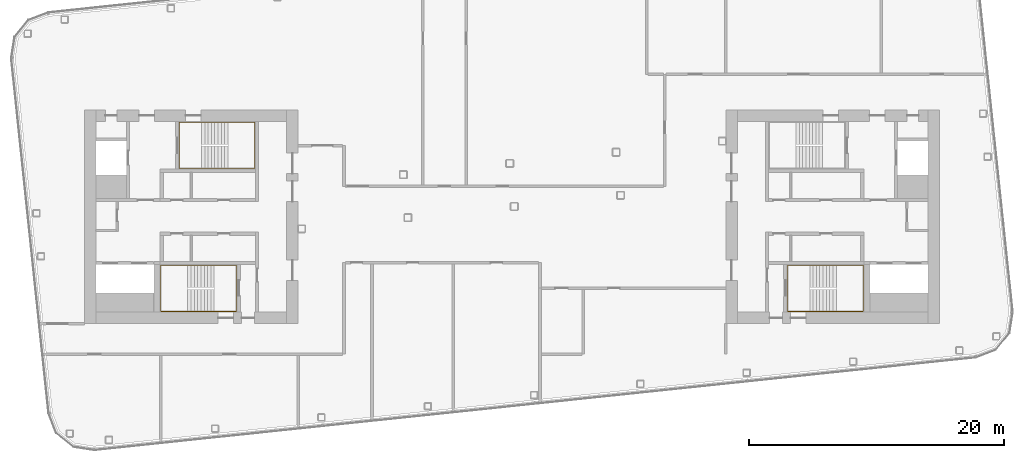
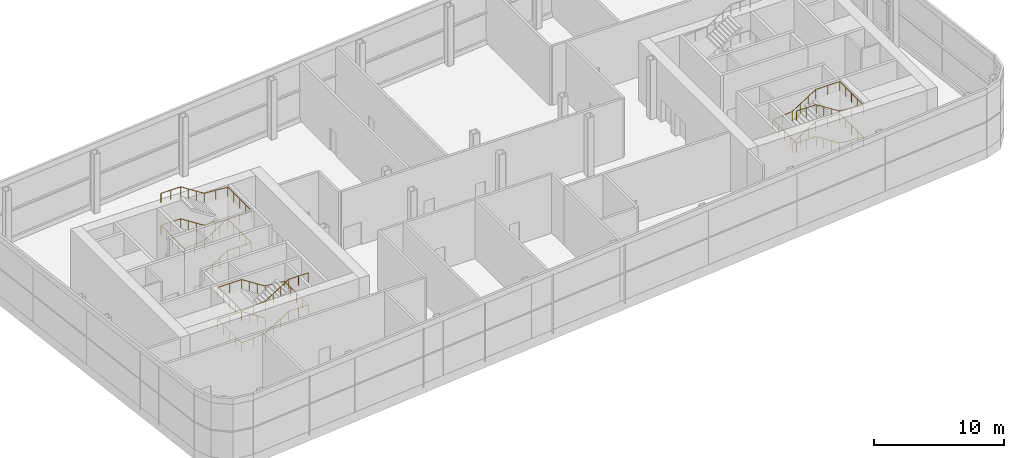
# One storey, part 34 of 35: 3 railings.
"""IFC4 building model written with IfcOpenShell, lengths in metres."""

from ifc_helpers import new_model, si_unit, direction, frame, origin, origin_2d, place, context, subcontext, project, spatial, circle, extrude, material, type_object, element, save


model = new_model("IFC4")

# Units and contexts
model_context = context("Model", 3, precision=1e-05, world=origin(), true_north=direction((0.0, 1.0)))
body_context = subcontext(model_context, "Body", "Model", "MODEL_VIEW")
ifc_project = project(units=[si_unit("LENGTHUNIT", "METRE"), si_unit("AREAUNIT", "SQUARE_METRE"), si_unit("VOLUMEUNIT", "CUBIC_METRE"), si_unit("PLANEANGLEUNIT", "RADIAN"), si_unit("MASSUNIT", "GRAM", prefix="KILO")], contexts=[model_context])

# Site, building, storey
site_placement = place(None, origin())
site = spatial("IfcSite", under=ifc_project, at=site_placement, CompositionType="ELEMENT")
building_placement = place(site_placement, origin())
building = spatial("IfcBuilding", under=site, at=building_placement, Name="Hakoniwa Tower and Hamabe Station Hall", CompositionType="ELEMENT")
storey_placement = place(building_placement, frame((0.0, 0.0, 270.60009765625)))
storey = spatial("IfcBuildingStorey", under=building, at=storey_placement, Name="L76", CompositionType="ELEMENT", Elevation=270.60009765625)

# Railings
ifc_material = material(Name="Stainless steel SUS304", Category="steel")
railing_type = type_object("IfcRailingType", Name="STAIR HANDRAIL 900", PredefinedType="HANDRAIL", material=ifc_material)
railing_1_placement = place(storey_placement, frame((-24.39990234375, 3.81005859375, 0.16650390625)))
element("IfcRailing", 1, at=railing_1_placement, inside=storey, type_object=railing_type, Name="Handrail ST-1 L76 1", PredefinedType="HANDRAIL", context=body_context, shape_type="SweptSolid", body=[
    extrude(circle(Radius=0.02392578125, at=origin_2d()), frame((0.0, 0.0, 0.8759765625), z_axis=(0.841829634381, 0.0, 0.539743334075), x_axis=(0.0, 1.0, 0.0)), (0.0, 0.0, 1.0), 2.470703125),
    extrude(circle(Radius=0.02392578125, at=origin_2d()), frame((2.079833984375, 0.0, 2.20947265625), z_axis=(1.0, 0.0, 0.0), x_axis=(0.0, 1.0, 0.0)), (0.0, 0.0, 1.0), 2.110107421875),
    extrude(circle(Radius=0.02392578125, at=origin_2d()), frame((4.18994140625, 0.0, 2.20947265625), z_axis=(0.0, 1.0, 0.0), x_axis=(-1.0, 0.0, 0.0)), (0.0, 0.0, 1.0), 3.6298828125),
    extrude(circle(Radius=0.02392578125, at=origin_2d()), frame((4.18994140625, 3.6298828125, 2.20947265625), z_axis=(-0.99690124378, 0.0, 0.078663270653), x_axis=(0.0, -1.0, 0.0)), (0.0, 0.0, 1.0), 2.11669921875),
    extrude(circle(Radius=0.02392578125, at=origin_2d()), frame((2.079833984375, 3.6298828125, 2.3759765625), z_axis=(-0.841829634381, 0.0, 0.539743334075), x_axis=(0.0, -1.0, 0.0)), (0.0, 0.0, 1.0), 2.470703125),
    extrude(circle(Radius=0.02392578125, at=origin_2d()), frame((0.0, 3.6298828125, 3.70947265625), z_axis=(-1.0, 0.0, 0.0), x_axis=(0.0, -1.0, 0.0)), (0.0, 0.0, 1.0), 1.739990234375),
    extrude(circle(Radius=0.02392578125, at=origin_2d()), frame((-1.739990234375, 3.6298828125, 3.70947265625), z_axis=(0.0, -1.0, 0.0), x_axis=(1.0, 0.0, 0.0)), (0.0, 0.0, 1.0), 3.6298828125),
    extrude(circle(Radius=0.02392578125, at=origin_2d()), frame((-1.739990234375, 0.0, 3.70947265625), z_axis=(0.995452684975, 0.0, 0.095257293553), x_axis=(0.0, 1.0, 0.0)), (0.0, 0.0, 1.0), 1.748046875),
    extrude(circle(Radius=0.02392578125, at=origin_2d()), frame((0.0, 0.0, 3.8759765625), z_axis=(0.841829634381, 0.0, 0.539743334075), x_axis=(0.0, 1.0, 0.0)), (0.0, 0.0, 1.0), 2.470703125),
    extrude(circle(Radius=0.02392578125, at=origin_2d()), frame((2.079833984375, 0.0, 5.20947265625), z_axis=(1.0, 0.0, 0.0), x_axis=(0.0, 1.0, 0.0)), (0.0, 0.0, 1.0), 2.110107421875),
    extrude(circle(Radius=0.02392578125, at=origin_2d()), frame((4.18994140625, 0.0, 5.20947265625), z_axis=(0.0, 1.0, 0.0), x_axis=(-1.0, 0.0, 0.0)), (0.0, 0.0, 1.0), 3.6298828125),
    extrude(circle(Radius=0.02392578125, at=origin_2d()), frame((4.18994140625, 3.6298828125, 5.20947265625), z_axis=(-0.99690124378, 0.0, 0.078663270653), x_axis=(0.0, -1.0, 0.0)), (0.0, 0.0, 1.0), 2.11669921875),
    extrude(circle(Radius=0.02392578125, at=origin_2d()), frame((2.079833984375, 3.6298828125, 5.3759765625), z_axis=(-0.841829634381, 0.0, 0.539743334075), x_axis=(0.0, -1.0, 0.0)), (0.0, 0.0, 1.0), 2.470703125),
    extrude(circle(Radius=0.02392578125, at=origin_2d()), frame((0.0, 3.6298828125, 6.70947265625), z_axis=(-1.0, 0.0, 0.0), x_axis=(0.0, -1.0, 0.0)), (0.0, 0.0, 1.0), 1.739990234375),
    extrude(circle(Radius=0.02099609375, at=origin_2d()), origin(), (0.0, 0.0, 1.0), 0.851806640625),
    extrude(circle(Radius=0.02099609375, at=origin_2d()), frame((0.693359375, 0.0, 0.444580078125)), (0.0, 0.0, 1.0), 0.851806640625),
    extrude(circle(Radius=0.02099609375, at=origin_2d()), frame((1.386474609375, 0.0, 0.888916015625)), (0.0, 0.0, 1.0), 0.851806640625),
    extrude(circle(Radius=0.02099609375, at=origin_2d()), frame((2.079833984375, 0.0, 1.33349609375)), (0.0, 0.0, 1.0), 0.851806640625),
    extrude(circle(Radius=0.02099609375, at=origin_2d()), frame((3.134765625, 0.0, 1.33349609375)), (0.0, 0.0, 1.0), 0.851806640625),
    extrude(circle(Radius=0.02099609375, at=origin_2d()), frame((4.18994140625, 0.0, 1.33349609375)), (0.0, 0.0, 1.0), 0.851806640625),
    extrude(circle(Radius=0.02099609375, at=origin_2d()), frame((4.18994140625, 0.907470703125, 1.33349609375)), (0.0, 0.0, 1.0), 0.851806640625),
    extrude(circle(Radius=0.02099609375, at=origin_2d()), frame((4.18994140625, 1.81494140625, 1.33349609375)), (0.0, 0.0, 1.0), 0.851806640625),
    extrude(circle(Radius=0.02099609375, at=origin_2d()), frame((4.18994140625, 2.722412109375, 1.33349609375)), (0.0, 0.0, 1.0), 0.851806640625),
    extrude(circle(Radius=0.02099609375, at=origin_2d()), frame((4.18994140625, 3.6298828125, 1.33349609375)), (0.0, 0.0, 1.0), 0.851806640625),
    extrude(circle(Radius=0.02099609375, at=origin_2d()), frame((3.134765625, 3.6298828125, 1.416748046875)), (0.0, 0.0, 1.0), 0.851806640625),
    extrude(circle(Radius=0.02099609375, at=origin_2d()), frame((2.079833984375, 3.6298828125, 1.5)), (0.0, 0.0, 1.0), 0.851806640625),
    extrude(circle(Radius=0.02099609375, at=origin_2d()), frame((1.386474609375, 3.6298828125, 1.944580078125)), (0.0, 0.0, 1.0), 0.851806640625),
    extrude(circle(Radius=0.02099609375, at=origin_2d()), frame((0.693359375, 3.6298828125, 2.388916015625)), (0.0, 0.0, 1.0), 0.851806640625),
    extrude(circle(Radius=0.02099609375, at=origin_2d()), frame((0.0, 3.6298828125, 2.83349609375)), (0.0, 0.0, 1.0), 0.851806640625),
    extrude(circle(Radius=0.02099609375, at=origin_2d()), frame((-0.8701171875, 3.6298828125, 2.83349609375)), (0.0, 0.0, 1.0), 0.851806640625),
    extrude(circle(Radius=0.02099609375, at=origin_2d()), frame((-1.739990234375, 3.6298828125, 2.83349609375)), (0.0, 0.0, 1.0), 0.851806640625),
    extrude(circle(Radius=0.02099609375, at=origin_2d()), frame((-1.739990234375, 2.722412109375, 2.83349609375)), (0.0, 0.0, 1.0), 0.851806640625),
    extrude(circle(Radius=0.02099609375, at=origin_2d()), frame((-1.739990234375, 1.81494140625, 2.83349609375)), (0.0, 0.0, 1.0), 0.851806640625),
    extrude(circle(Radius=0.02099609375, at=origin_2d()), frame((-1.739990234375, 0.907470703125, 2.83349609375)), (0.0, 0.0, 1.0), 0.851806640625),
    extrude(circle(Radius=0.02099609375, at=origin_2d()), frame((-1.739990234375, 0.0, 2.83349609375)), (0.0, 0.0, 1.0), 0.851806640625),
    extrude(circle(Radius=0.02099609375, at=origin_2d()), frame((-0.8701171875, 0.0, 2.916748046875)), (0.0, 0.0, 1.0), 0.851806640625),
    extrude(circle(Radius=0.02099609375, at=origin_2d()), frame((0.0, 0.0, 3.0)), (0.0, 0.0, 1.0), 0.851806640625),
    extrude(circle(Radius=0.02099609375, at=origin_2d()), frame((0.693359375, 0.0, 3.444580078125)), (0.0, 0.0, 1.0), 0.851806640625),
    extrude(circle(Radius=0.02099609375, at=origin_2d()), frame((1.386474609375, 0.0, 3.888916015625)), (0.0, 0.0, 1.0), 0.851806640625),
    extrude(circle(Radius=0.02099609375, at=origin_2d()), frame((2.079833984375, 0.0, 4.33349609375)), (0.0, 0.0, 1.0), 0.851806640625),
    extrude(circle(Radius=0.02099609375, at=origin_2d()), frame((3.134765625, 0.0, 4.33349609375)), (0.0, 0.0, 1.0), 0.851806640625),
    extrude(circle(Radius=0.02099609375, at=origin_2d()), frame((4.18994140625, 0.0, 4.33349609375)), (0.0, 0.0, 1.0), 0.851806640625),
    extrude(circle(Radius=0.02099609375, at=origin_2d()), frame((4.18994140625, 0.907470703125, 4.33349609375)), (0.0, 0.0, 1.0), 0.851806640625),
    extrude(circle(Radius=0.02099609375, at=origin_2d()), frame((4.18994140625, 1.81494140625, 4.33349609375)), (0.0, 0.0, 1.0), 0.851806640625),
    extrude(circle(Radius=0.02099609375, at=origin_2d()), frame((4.18994140625, 2.722412109375, 4.33349609375)), (0.0, 0.0, 1.0), 0.851806640625),
    extrude(circle(Radius=0.02099609375, at=origin_2d()), frame((4.18994140625, 3.6298828125, 4.33349609375)), (0.0, 0.0, 1.0), 0.851806640625),
    extrude(circle(Radius=0.02099609375, at=origin_2d()), frame((3.134765625, 3.6298828125, 4.416748046875)), (0.0, 0.0, 1.0), 0.851806640625),
    extrude(circle(Radius=0.02099609375, at=origin_2d()), frame((2.079833984375, 3.6298828125, 4.5)), (0.0, 0.0, 1.0), 0.851806640625),
    extrude(circle(Radius=0.02099609375, at=origin_2d()), frame((1.386474609375, 3.6298828125, 4.944580078125)), (0.0, 0.0, 1.0), 0.851806640625),
    extrude(circle(Radius=0.02099609375, at=origin_2d()), frame((0.693359375, 3.6298828125, 5.388916015625)), (0.0, 0.0, 1.0), 0.851806640625),
    extrude(circle(Radius=0.02099609375, at=origin_2d()), frame((0.0, 3.6298828125, 5.83349609375)), (0.0, 0.0, 1.0), 0.851806640625),
    extrude(circle(Radius=0.02099609375, at=origin_2d()), frame((-0.8701171875, 3.6298828125, 5.83349609375)), (0.0, 0.0, 1.0), 0.851806640625),
    extrude(circle(Radius=0.02099609375, at=origin_2d()), frame((-1.739990234375, 3.6298828125, 5.83349609375)), (0.0, 0.0, 1.0), 0.851806640625),
])
railing_2_placement = place(storey_placement, frame((-23.39990234375, -3.81005859375, 0.16650390625)))
element("IfcRailing", 2, at=railing_2_placement, inside=storey, type_object=railing_type, Name="Handrail ST-2 L76 1", PredefinedType="HANDRAIL", context=body_context, shape_type="SweptSolid", body=[
    extrude(circle(Radius=0.02392578125, at=origin_2d()), frame((0.0, 0.0, 0.8759765625), z_axis=(-0.841858418701, 0.0, 0.539698436965), x_axis=(0.0, -1.0, 0.0)), (0.0, 0.0, 1.0), 2.470703125),
    extrude(circle(Radius=0.02392578125, at=origin_2d()), frame((-2.080078125, 0.0, 2.20947265625), z_axis=(-1.0, 0.0, 0.0), x_axis=(0.0, -1.0, 0.0)), (0.0, 0.0, 1.0), 2.110107421875),
    extrude(circle(Radius=0.02392578125, at=origin_2d()), frame((-4.190185546875, 0.0, 2.20947265625), z_axis=(0.0, -1.0, 0.0), x_axis=(1.0, 0.0, 0.0)), (0.0, 0.0, 1.0), 3.6298828125),
    extrude(circle(Radius=0.02392578125, at=origin_2d()), frame((-4.190185546875, -3.6298828125, 2.20947265625), z_axis=(0.99690124378, 0.0, 0.078663270653), x_axis=(0.0, 1.0, 0.0)), (0.0, 0.0, 1.0), 2.11669921875),
    extrude(circle(Radius=0.02392578125, at=origin_2d()), frame((-2.080078125, -3.6298828125, 2.3759765625), z_axis=(0.841858418701, 0.0, 0.539698436965), x_axis=(0.0, 1.0, 0.0)), (0.0, 0.0, 1.0), 2.470703125),
    extrude(circle(Radius=0.02392578125, at=origin_2d()), frame((0.0, -3.6298828125, 3.70947265625), z_axis=(1.0, 0.0, 0.0), x_axis=(0.0, 1.0, 0.0)), (0.0, 0.0, 1.0), 1.739990234375),
    extrude(circle(Radius=0.02392578125, at=origin_2d()), frame((1.739990234375, -3.6298828125, 3.70947265625), z_axis=(0.0, 1.0, 0.0), x_axis=(-1.0, 0.0, 0.0)), (0.0, 0.0, 1.0), 3.6298828125),
    extrude(circle(Radius=0.02392578125, at=origin_2d()), frame((1.739990234375, 0.0, 3.70947265625), z_axis=(-0.995452684975, 0.0, 0.095257293553), x_axis=(0.0, -1.0, 0.0)), (0.0, 0.0, 1.0), 1.748046875),
    extrude(circle(Radius=0.02392578125, at=origin_2d()), frame((0.0, 0.0, 3.8759765625), z_axis=(-0.841858418701, 0.0, 0.539698436965), x_axis=(0.0, -1.0, 0.0)), (0.0, 0.0, 1.0), 2.470703125),
    extrude(circle(Radius=0.02392578125, at=origin_2d()), frame((-2.080078125, 0.0, 5.20947265625), z_axis=(-1.0, 0.0, 0.0), x_axis=(0.0, -1.0, 0.0)), (0.0, 0.0, 1.0), 2.110107421875),
    extrude(circle(Radius=0.02392578125, at=origin_2d()), frame((-4.190185546875, 0.0, 5.20947265625), z_axis=(0.0, -1.0, 0.0), x_axis=(1.0, 0.0, 0.0)), (0.0, 0.0, 1.0), 3.6298828125),
    extrude(circle(Radius=0.02392578125, at=origin_2d()), frame((-4.190185546875, -3.6298828125, 5.20947265625), z_axis=(0.99690124378, 0.0, 0.078663270653), x_axis=(0.0, 1.0, 0.0)), (0.0, 0.0, 1.0), 2.11669921875),
    extrude(circle(Radius=0.02392578125, at=origin_2d()), frame((-2.080078125, -3.6298828125, 5.3759765625), z_axis=(0.841858418701, 0.0, 0.539698436965), x_axis=(0.0, 1.0, 0.0)), (0.0, 0.0, 1.0), 2.470703125),
    extrude(circle(Radius=0.02392578125, at=origin_2d()), frame((0.0, -3.6298828125, 6.70947265625), z_axis=(1.0, 0.0, 0.0), x_axis=(0.0, 1.0, 0.0)), (0.0, 0.0, 1.0), 1.739990234375),
    extrude(circle(Radius=0.02099609375, at=origin_2d()), origin(), (0.0, 0.0, 1.0), 0.851806640625),
    extrude(circle(Radius=0.02099609375, at=origin_2d()), frame((-0.693359375, 0.0, 0.444580078125)), (0.0, 0.0, 1.0), 0.851806640625),
    extrude(circle(Radius=0.02099609375, at=origin_2d()), frame((-1.38671875, 0.0, 0.888916015625)), (0.0, 0.0, 1.0), 0.851806640625),
    extrude(circle(Radius=0.02099609375, at=origin_2d()), frame((-2.080078125, 0.0, 1.33349609375)), (0.0, 0.0, 1.0), 0.851806640625),
    extrude(circle(Radius=0.02099609375, at=origin_2d()), frame((-3.13525390625, 0.0, 1.33349609375)), (0.0, 0.0, 1.0), 0.851806640625),
    extrude(circle(Radius=0.02099609375, at=origin_2d()), frame((-4.190185546875, 0.0, 1.33349609375)), (0.0, 0.0, 1.0), 0.851806640625),
    extrude(circle(Radius=0.02099609375, at=origin_2d()), frame((-4.190185546875, -0.907470703125, 1.33349609375)), (0.0, 0.0, 1.0), 0.851806640625),
    extrude(circle(Radius=0.02099609375, at=origin_2d()), frame((-4.190185546875, -1.81494140625, 1.33349609375)), (0.0, 0.0, 1.0), 0.851806640625),
    extrude(circle(Radius=0.02099609375, at=origin_2d()), frame((-4.190185546875, -2.722412109375, 1.33349609375)), (0.0, 0.0, 1.0), 0.851806640625),
    extrude(circle(Radius=0.02099609375, at=origin_2d()), frame((-4.190185546875, -3.6298828125, 1.33349609375)), (0.0, 0.0, 1.0), 0.851806640625),
    extrude(circle(Radius=0.02099609375, at=origin_2d()), frame((-3.13525390625, -3.6298828125, 1.416748046875)), (0.0, 0.0, 1.0), 0.851806640625),
    extrude(circle(Radius=0.02099609375, at=origin_2d()), frame((-2.080078125, -3.6298828125, 1.5)), (0.0, 0.0, 1.0), 0.851806640625),
    extrude(circle(Radius=0.02099609375, at=origin_2d()), frame((-1.38671875, -3.6298828125, 1.944580078125)), (0.0, 0.0, 1.0), 0.851806640625),
    extrude(circle(Radius=0.02099609375, at=origin_2d()), frame((-0.693359375, -3.6298828125, 2.388916015625)), (0.0, 0.0, 1.0), 0.851806640625),
    extrude(circle(Radius=0.02099609375, at=origin_2d()), frame((0.0, -3.6298828125, 2.83349609375)), (0.0, 0.0, 1.0), 0.851806640625),
    extrude(circle(Radius=0.02099609375, at=origin_2d()), frame((0.8701171875, -3.6298828125, 2.83349609375)), (0.0, 0.0, 1.0), 0.851806640625),
    extrude(circle(Radius=0.02099609375, at=origin_2d()), frame((1.739990234375, -3.6298828125, 2.83349609375)), (0.0, 0.0, 1.0), 0.851806640625),
    extrude(circle(Radius=0.02099609375, at=origin_2d()), frame((1.739990234375, -2.722412109375, 2.83349609375)), (0.0, 0.0, 1.0), 0.851806640625),
    extrude(circle(Radius=0.02099609375, at=origin_2d()), frame((1.739990234375, -1.81494140625, 2.83349609375)), (0.0, 0.0, 1.0), 0.851806640625),
    extrude(circle(Radius=0.02099609375, at=origin_2d()), frame((1.739990234375, -0.907470703125, 2.83349609375)), (0.0, 0.0, 1.0), 0.851806640625),
    extrude(circle(Radius=0.02099609375, at=origin_2d()), frame((1.739990234375, 0.0, 2.83349609375)), (0.0, 0.0, 1.0), 0.851806640625),
    extrude(circle(Radius=0.02099609375, at=origin_2d()), frame((0.8701171875, 0.0, 2.916748046875)), (0.0, 0.0, 1.0), 0.851806640625),
    extrude(circle(Radius=0.02099609375, at=origin_2d()), frame((0.0, 0.0, 3.0)), (0.0, 0.0, 1.0), 0.851806640625),
    extrude(circle(Radius=0.02099609375, at=origin_2d()), frame((-0.693359375, 0.0, 3.444580078125)), (0.0, 0.0, 1.0), 0.851806640625),
    extrude(circle(Radius=0.02099609375, at=origin_2d()), frame((-1.38671875, 0.0, 3.888916015625)), (0.0, 0.0, 1.0), 0.851806640625),
    extrude(circle(Radius=0.02099609375, at=origin_2d()), frame((-2.080078125, 0.0, 4.33349609375)), (0.0, 0.0, 1.0), 0.851806640625),
    extrude(circle(Radius=0.02099609375, at=origin_2d()), frame((-3.13525390625, 0.0, 4.33349609375)), (0.0, 0.0, 1.0), 0.851806640625),
    extrude(circle(Radius=0.02099609375, at=origin_2d()), frame((-4.190185546875, 0.0, 4.33349609375)), (0.0, 0.0, 1.0), 0.851806640625),
    extrude(circle(Radius=0.02099609375, at=origin_2d()), frame((-4.190185546875, -0.907470703125, 4.33349609375)), (0.0, 0.0, 1.0), 0.851806640625),
    extrude(circle(Radius=0.02099609375, at=origin_2d()), frame((-4.190185546875, -1.81494140625, 4.33349609375)), (0.0, 0.0, 1.0), 0.851806640625),
    extrude(circle(Radius=0.02099609375, at=origin_2d()), frame((-4.190185546875, -2.722412109375, 4.33349609375)), (0.0, 0.0, 1.0), 0.851806640625),
    extrude(circle(Radius=0.02099609375, at=origin_2d()), frame((-4.190185546875, -3.6298828125, 4.33349609375)), (0.0, 0.0, 1.0), 0.851806640625),
    extrude(circle(Radius=0.02099609375, at=origin_2d()), frame((-3.13525390625, -3.6298828125, 4.416748046875)), (0.0, 0.0, 1.0), 0.851806640625),
    extrude(circle(Radius=0.02099609375, at=origin_2d()), frame((-2.080078125, -3.6298828125, 4.5)), (0.0, 0.0, 1.0), 0.851806640625),
    extrude(circle(Radius=0.02099609375, at=origin_2d()), frame((-1.38671875, -3.6298828125, 4.944580078125)), (0.0, 0.0, 1.0), 0.851806640625),
    extrude(circle(Radius=0.02099609375, at=origin_2d()), frame((-0.693359375, -3.6298828125, 5.388916015625)), (0.0, 0.0, 1.0), 0.851806640625),
    extrude(circle(Radius=0.02099609375, at=origin_2d()), frame((0.0, -3.6298828125, 5.83349609375)), (0.0, 0.0, 1.0), 0.851806640625),
    extrude(circle(Radius=0.02099609375, at=origin_2d()), frame((0.8701171875, -3.6298828125, 5.83349609375)), (0.0, 0.0, 1.0), 0.851806640625),
    extrude(circle(Radius=0.02099609375, at=origin_2d()), frame((1.739990234375, -3.6298828125, 5.83349609375)), (0.0, 0.0, 1.0), 0.851806640625),
])
railing_3_placement = place(storey_placement, frame((23.39990234375, -3.81005859375, 0.16650390625)))
element("IfcRailing", 3, at=railing_3_placement, inside=storey, type_object=railing_type, Name="Handrail ST-4 L76 1", PredefinedType="HANDRAIL", context=body_context, shape_type="SweptSolid", body=[
    extrude(circle(Radius=0.02392578125, at=origin_2d()), frame((0.0, 0.0, 0.8759765625), z_axis=(0.841858418701, 0.0, 0.539698436965), x_axis=(0.0, 1.0, 0.0)), (0.0, 0.0, 1.0), 2.470703125),
    extrude(circle(Radius=0.02392578125, at=origin_2d()), frame((2.080078125, 0.0, 2.20947265625), z_axis=(1.0, 0.0, 0.0), x_axis=(0.0, 1.0, 0.0)), (0.0, 0.0, 1.0), 2.110107421875),
    extrude(circle(Radius=0.02392578125, at=origin_2d()), frame((4.190185546875, 0.0, 2.20947265625), z_axis=(0.0, -1.0, 0.0), x_axis=(1.0, 0.0, 0.0)), (0.0, 0.0, 1.0), 3.6298828125),
    extrude(circle(Radius=0.02392578125, at=origin_2d()), frame((4.190185546875, -3.6298828125, 2.20947265625), z_axis=(-0.99690124378, 0.0, 0.078663270653), x_axis=(0.0, -1.0, 0.0)), (0.0, 0.0, 1.0), 2.11669921875),
    extrude(circle(Radius=0.02392578125, at=origin_2d()), frame((2.080078125, -3.6298828125, 2.3759765625), z_axis=(-0.841858418701, 0.0, 0.539698436965), x_axis=(0.0, -1.0, 0.0)), (0.0, 0.0, 1.0), 2.470703125),
    extrude(circle(Radius=0.02392578125, at=origin_2d()), frame((0.0, -3.6298828125, 3.70947265625), z_axis=(-1.0, 0.0, 0.0), x_axis=(0.0, -1.0, 0.0)), (0.0, 0.0, 1.0), 1.739990234375),
    extrude(circle(Radius=0.02392578125, at=origin_2d()), frame((-1.739990234375, -3.6298828125, 3.70947265625), z_axis=(0.0, 1.0, 0.0), x_axis=(-1.0, 0.0, 0.0)), (0.0, 0.0, 1.0), 3.6298828125),
    extrude(circle(Radius=0.02392578125, at=origin_2d()), frame((-1.739990234375, 0.0, 3.70947265625), z_axis=(0.995452684975, 0.0, 0.095257293553), x_axis=(0.0, 1.0, 0.0)), (0.0, 0.0, 1.0), 1.748046875),
    extrude(circle(Radius=0.02392578125, at=origin_2d()), frame((0.0, 0.0, 3.8759765625), z_axis=(0.841858418701, 0.0, 0.539698436965), x_axis=(0.0, 1.0, 0.0)), (0.0, 0.0, 1.0), 2.470703125),
    extrude(circle(Radius=0.02392578125, at=origin_2d()), frame((2.080078125, 0.0, 5.20947265625), z_axis=(1.0, 0.0, 0.0), x_axis=(0.0, 1.0, 0.0)), (0.0, 0.0, 1.0), 2.110107421875),
    extrude(circle(Radius=0.02392578125, at=origin_2d()), frame((4.190185546875, 0.0, 5.20947265625), z_axis=(0.0, -1.0, 0.0), x_axis=(1.0, 0.0, 0.0)), (0.0, 0.0, 1.0), 3.6298828125),
    extrude(circle(Radius=0.02392578125, at=origin_2d()), frame((4.190185546875, -3.6298828125, 5.20947265625), z_axis=(-0.99690124378, 0.0, 0.078663270653), x_axis=(0.0, -1.0, 0.0)), (0.0, 0.0, 1.0), 2.11669921875),
    extrude(circle(Radius=0.02392578125, at=origin_2d()), frame((2.080078125, -3.6298828125, 5.3759765625), z_axis=(-0.841858418701, 0.0, 0.539698436965), x_axis=(0.0, -1.0, 0.0)), (0.0, 0.0, 1.0), 2.470703125),
    extrude(circle(Radius=0.02392578125, at=origin_2d()), frame((0.0, -3.6298828125, 6.70947265625), z_axis=(-1.0, 0.0, 0.0), x_axis=(0.0, -1.0, 0.0)), (0.0, 0.0, 1.0), 1.739990234375),
    extrude(circle(Radius=0.02099609375, at=origin_2d()), origin(), (0.0, 0.0, 1.0), 0.851806640625),
    extrude(circle(Radius=0.02099609375, at=origin_2d()), frame((0.693359375, 0.0, 0.444580078125)), (0.0, 0.0, 1.0), 0.851806640625),
    extrude(circle(Radius=0.02099609375, at=origin_2d()), frame((1.38671875, 0.0, 0.888916015625)), (0.0, 0.0, 1.0), 0.851806640625),
    extrude(circle(Radius=0.02099609375, at=origin_2d()), frame((2.080078125, 0.0, 1.33349609375)), (0.0, 0.0, 1.0), 0.851806640625),
    extrude(circle(Radius=0.02099609375, at=origin_2d()), frame((3.13525390625, 0.0, 1.33349609375)), (0.0, 0.0, 1.0), 0.851806640625),
    extrude(circle(Radius=0.02099609375, at=origin_2d()), frame((4.190185546875, 0.0, 1.33349609375)), (0.0, 0.0, 1.0), 0.851806640625),
    extrude(circle(Radius=0.02099609375, at=origin_2d()), frame((4.190185546875, -0.907470703125, 1.33349609375)), (0.0, 0.0, 1.0), 0.851806640625),
    extrude(circle(Radius=0.02099609375, at=origin_2d()), frame((4.190185546875, -1.81494140625, 1.33349609375)), (0.0, 0.0, 1.0), 0.851806640625),
    extrude(circle(Radius=0.02099609375, at=origin_2d()), frame((4.190185546875, -2.722412109375, 1.33349609375)), (0.0, 0.0, 1.0), 0.851806640625),
    extrude(circle(Radius=0.02099609375, at=origin_2d()), frame((4.190185546875, -3.6298828125, 1.33349609375)), (0.0, 0.0, 1.0), 0.851806640625),
    extrude(circle(Radius=0.02099609375, at=origin_2d()), frame((3.13525390625, -3.6298828125, 1.416748046875)), (0.0, 0.0, 1.0), 0.851806640625),
    extrude(circle(Radius=0.02099609375, at=origin_2d()), frame((2.080078125, -3.6298828125, 1.5)), (0.0, 0.0, 1.0), 0.851806640625),
    extrude(circle(Radius=0.02099609375, at=origin_2d()), frame((1.38671875, -3.6298828125, 1.944580078125)), (0.0, 0.0, 1.0), 0.851806640625),
    extrude(circle(Radius=0.02099609375, at=origin_2d()), frame((0.693359375, -3.6298828125, 2.388916015625)), (0.0, 0.0, 1.0), 0.851806640625),
    extrude(circle(Radius=0.02099609375, at=origin_2d()), frame((0.0, -3.6298828125, 2.83349609375)), (0.0, 0.0, 1.0), 0.851806640625),
    extrude(circle(Radius=0.02099609375, at=origin_2d()), frame((-0.8701171875, -3.6298828125, 2.83349609375)), (0.0, 0.0, 1.0), 0.851806640625),
    extrude(circle(Radius=0.02099609375, at=origin_2d()), frame((-1.739990234375, -3.6298828125, 2.83349609375)), (0.0, 0.0, 1.0), 0.851806640625),
    extrude(circle(Radius=0.02099609375, at=origin_2d()), frame((-1.739990234375, -2.722412109375, 2.83349609375)), (0.0, 0.0, 1.0), 0.851806640625),
    extrude(circle(Radius=0.02099609375, at=origin_2d()), frame((-1.739990234375, -1.81494140625, 2.83349609375)), (0.0, 0.0, 1.0), 0.851806640625),
    extrude(circle(Radius=0.02099609375, at=origin_2d()), frame((-1.739990234375, -0.907470703125, 2.83349609375)), (0.0, 0.0, 1.0), 0.851806640625),
    extrude(circle(Radius=0.02099609375, at=origin_2d()), frame((-1.739990234375, 0.0, 2.83349609375)), (0.0, 0.0, 1.0), 0.851806640625),
    extrude(circle(Radius=0.02099609375, at=origin_2d()), frame((-0.8701171875, 0.0, 2.916748046875)), (0.0, 0.0, 1.0), 0.851806640625),
    extrude(circle(Radius=0.02099609375, at=origin_2d()), frame((0.0, 0.0, 3.0)), (0.0, 0.0, 1.0), 0.851806640625),
    extrude(circle(Radius=0.02099609375, at=origin_2d()), frame((0.693359375, 0.0, 3.444580078125)), (0.0, 0.0, 1.0), 0.851806640625),
    extrude(circle(Radius=0.02099609375, at=origin_2d()), frame((1.38671875, 0.0, 3.888916015625)), (0.0, 0.0, 1.0), 0.851806640625),
    extrude(circle(Radius=0.02099609375, at=origin_2d()), frame((2.080078125, 0.0, 4.33349609375)), (0.0, 0.0, 1.0), 0.851806640625),
    extrude(circle(Radius=0.02099609375, at=origin_2d()), frame((3.13525390625, 0.0, 4.33349609375)), (0.0, 0.0, 1.0), 0.851806640625),
    extrude(circle(Radius=0.02099609375, at=origin_2d()), frame((4.190185546875, 0.0, 4.33349609375)), (0.0, 0.0, 1.0), 0.851806640625),
    extrude(circle(Radius=0.02099609375, at=origin_2d()), frame((4.190185546875, -0.907470703125, 4.33349609375)), (0.0, 0.0, 1.0), 0.851806640625),
    extrude(circle(Radius=0.02099609375, at=origin_2d()), frame((4.190185546875, -1.81494140625, 4.33349609375)), (0.0, 0.0, 1.0), 0.851806640625),
    extrude(circle(Radius=0.02099609375, at=origin_2d()), frame((4.190185546875, -2.722412109375, 4.33349609375)), (0.0, 0.0, 1.0), 0.851806640625),
    extrude(circle(Radius=0.02099609375, at=origin_2d()), frame((4.190185546875, -3.6298828125, 4.33349609375)), (0.0, 0.0, 1.0), 0.851806640625),
    extrude(circle(Radius=0.02099609375, at=origin_2d()), frame((3.13525390625, -3.6298828125, 4.416748046875)), (0.0, 0.0, 1.0), 0.851806640625),
    extrude(circle(Radius=0.02099609375, at=origin_2d()), frame((2.080078125, -3.6298828125, 4.5)), (0.0, 0.0, 1.0), 0.851806640625),
    extrude(circle(Radius=0.02099609375, at=origin_2d()), frame((1.38671875, -3.6298828125, 4.944580078125)), (0.0, 0.0, 1.0), 0.851806640625),
    extrude(circle(Radius=0.02099609375, at=origin_2d()), frame((0.693359375, -3.6298828125, 5.388916015625)), (0.0, 0.0, 1.0), 0.851806640625),
    extrude(circle(Radius=0.02099609375, at=origin_2d()), frame((0.0, -3.6298828125, 5.83349609375)), (0.0, 0.0, 1.0), 0.851806640625),
    extrude(circle(Radius=0.02099609375, at=origin_2d()), frame((-0.8701171875, -3.6298828125, 5.83349609375)), (0.0, 0.0, 1.0), 0.851806640625),
    extrude(circle(Radius=0.02099609375, at=origin_2d()), frame((-1.739990234375, -3.6298828125, 5.83349609375)), (0.0, 0.0, 1.0), 0.851806640625),
])

save(model, "model.ifc")
